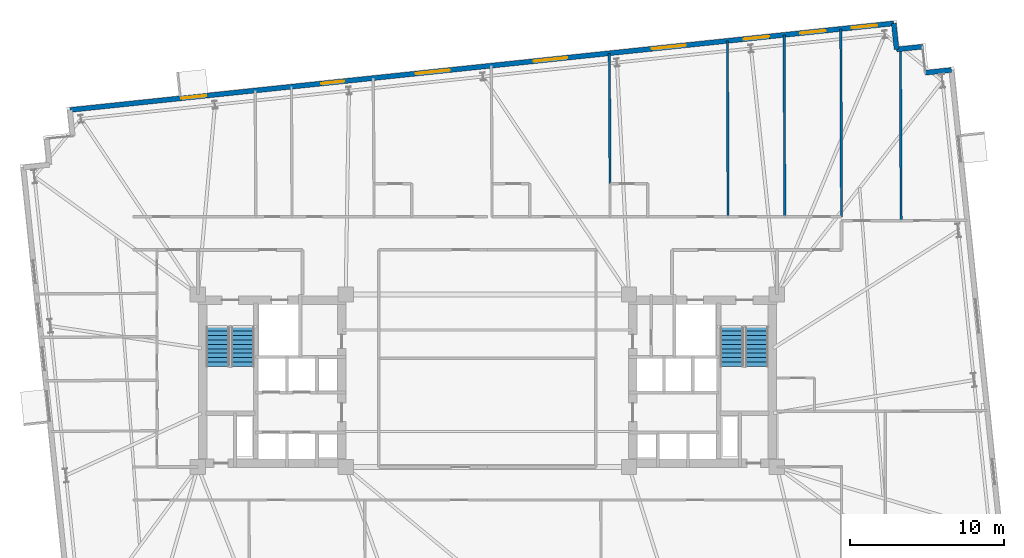
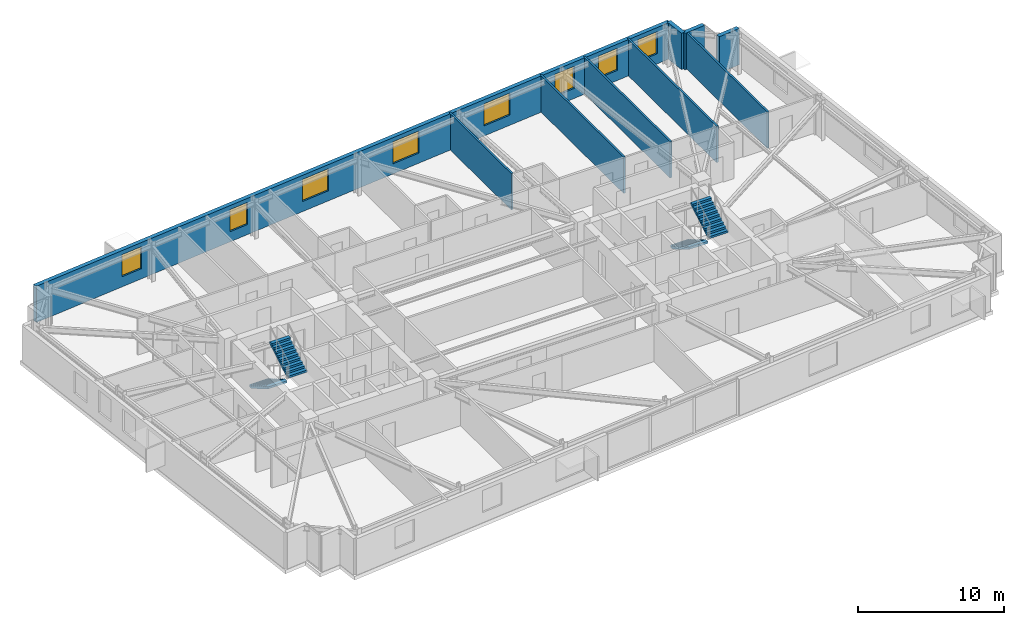
# One storey, part 20 of 23: 9 walls, 8 windows, 4 stair flights, 8 openings, 2 elements without a shape of their own.
"""IFC4 building model written with IfcOpenShell, lengths in metres."""

from ifc_helpers import new_model, si_unit, direction, frame, frame_2d, origin, place, context, subcontext, project, spatial, polyline, rectangle, outline, extrude, material, layer, layer_set, type_object, element, fill, aggregate, save


model = new_model("IFC4")

# Units and contexts
model_context = context("Model", 3, precision=1e-05, world=origin(), true_north=direction((0.0, 1.0)))
body_context = subcontext(model_context, "Body", "Model", "MODEL_VIEW")
ifc_project = project(units=[si_unit("LENGTHUNIT", "METRE"), si_unit("AREAUNIT", "SQUARE_METRE"), si_unit("VOLUMEUNIT", "CUBIC_METRE"), si_unit("PLANEANGLEUNIT", "RADIAN"), si_unit("MASSUNIT", "GRAM", prefix="KILO")], contexts=[model_context])

# Site, building, storey
site_placement = place(None, origin())
site = spatial("IfcSite", under=ifc_project, at=site_placement, CompositionType="ELEMENT")
building_placement = place(site_placement, origin())
building = spatial("IfcBuilding", under=site, at=building_placement, Name="Qobustan Lattice House", CompositionType="ELEMENT")
storey_placement = place(building_placement, frame((0.0, 0.0, 95.75)))
storey = spatial("IfcBuildingStorey", under=building, at=storey_placement, Name="L26", CompositionType="ELEMENT", Elevation=95.75)

# Wall, openings, windows
ifc_material_1 = material(Name="Precast concrete C40/50", Category="concrete")
ifc_layer_1 = layer(ifc_material_1, 0.320068359375)
ifc_layer_set_1 = layer_set([ifc_layer_1], Name="Precast concrete C40/50")
wall_type_1 = type_object("IfcWallType", Name="WAL-EXT-STONE-320", PredefinedType="SOLIDWALL", material=ifc_layer_set_1)
wall_1_placement = place(storey_placement, frame((-27.107421875, 17.585693359375, 0.0), z_axis=(0.0, 0.0, 1.0), x_axis=(0.994521628355, 0.104531003701, 0.0)))
wall_1 = element("IfcWall", 1, at=wall_1_placement, inside=storey, type_object=wall_type_1, Name="L26 exterior limestone-clad wall 10", PredefinedType="SOLIDWALL", context=body_context, shape_type="SweptSolid", body=[
    extrude(rectangle(XDim=53.800048828125, YDim=0.320068359375, at=frame_2d((26.89990234375, 0.0))), origin(), (0.0, 0.0, 1.0), 3.044921875),
])
opening_1_placement = place(wall_1_placement, frame((7.260986328125, 0.0, 0.85009765625)))
opening_1 = element("IfcOpeningElement", 2, at=opening_1_placement, cuts=wall_1, Name="Opening WN-09", PredefinedType="OPENING", context=body_context, shape_type="SweptSolid", body=[
    extrude(rectangle(XDim=1.64990234375, YDim=1.85009765625, at=frame_2d((0.824951171875, 0.925048828125))), frame((0.0, 0.169921875, 0.0), z_axis=(0.0, -1.0, 0.0), x_axis=(1.0, 0.0, 0.0)), (0.0, 0.0, 1.0), 0.340087890625),
])
opening_2_placement = place(wall_1_placement, frame((16.4228515625, 0.0, 0.85009765625)))
opening_2 = element("IfcOpeningElement", 3, at=opening_2_placement, cuts=wall_1, Name="Opening WN-01", PredefinedType="OPENING", context=body_context, shape_type="SweptSolid", body=[
    extrude(rectangle(XDim=1.5, YDim=1.85009765625, at=frame_2d((0.75, 0.925048828125))), frame((0.0, 0.169921875, 0.0), z_axis=(0.0, -1.0, 0.0), x_axis=(1.0, 0.0, 0.0)), (0.0, 0.0, 1.0), 0.340087890625),
])
opening_3_placement = place(wall_1_placement, frame((22.59765625, 0.0, 0.85009765625)))
opening_3 = element("IfcOpeningElement", 4, at=opening_3_placement, cuts=wall_1, Name="Opening WN-03", PredefinedType="OPENING", context=body_context, shape_type="SweptSolid", body=[
    extrude(rectangle(XDim=2.199951171875, YDim=1.85009765625, at=frame_2d((1.10009765625, 0.925048828125))), frame((0.0, 0.169921875, 0.0), z_axis=(0.0, -1.0, 0.0), x_axis=(1.0, 0.0, 0.0)), (0.0, 0.0, 1.0), 0.340087890625),
])
opening_4_placement = place(wall_1_placement, frame((30.283447265625, 0.0, 0.85009765625)))
opening_4 = element("IfcOpeningElement", 5, at=opening_4_placement, cuts=wall_1, Name="Opening WN-03", PredefinedType="OPENING", context=body_context, shape_type="SweptSolid", body=[
    extrude(rectangle(XDim=2.199951171875, YDim=1.85009765625, at=frame_2d((1.10009765625, 0.925048828125))), frame((0.0, 0.169921875, 0.0), z_axis=(0.0, -1.0, 0.0), x_axis=(1.0, 0.0, 0.0)), (0.0, 0.0, 1.0), 0.340087890625),
])
opening_5_placement = place(wall_1_placement, frame((38.009033203125, 0.0, 0.85009765625)))
opening_5 = element("IfcOpeningElement", 6, at=opening_5_placement, cuts=wall_1, Name="Opening WN-03", PredefinedType="OPENING", context=body_context, shape_type="SweptSolid", body=[
    extrude(rectangle(XDim=2.199951171875, YDim=1.85009765625, at=frame_2d((1.10009765625, 0.925048828125))), frame((0.0, 0.169921875, 0.0), z_axis=(0.0, -1.0, 0.0), x_axis=(1.0, 0.0, 0.0)), (0.0, 0.0, 1.0), 0.340087890625),
])
opening_6_placement = place(wall_1_placement, frame((44.00830078125, 0.0, 0.85009765625)))
opening_6 = element("IfcOpeningElement", 7, at=opening_6_placement, cuts=wall_1, Name="Opening WN-09", PredefinedType="OPENING", context=body_context, shape_type="SweptSolid", body=[
    extrude(rectangle(XDim=1.64990234375, YDim=1.85009765625, at=frame_2d((0.824951171875, 0.925048828125))), frame((0.0, 0.169921875, 0.0), z_axis=(0.0, -1.0, 0.0), x_axis=(1.0, 0.0, 0.0)), (0.0, 0.0, 1.0), 0.340087890625),
])
opening_7_placement = place(wall_1_placement, frame((47.691162109375, 0.0, 0.85009765625)))
opening_7 = element("IfcOpeningElement", 8, at=opening_7_placement, cuts=wall_1, Name="Opening WN-09", PredefinedType="OPENING", context=body_context, shape_type="SweptSolid", body=[
    extrude(rectangle(XDim=1.64990234375, YDim=1.85009765625, at=frame_2d((0.824951171875, 0.925048828125))), frame((0.0, 0.169921875, 0.0), z_axis=(0.0, -1.0, 0.0), x_axis=(1.0, 0.0, 0.0)), (0.0, 0.0, 1.0), 0.340087890625),
])
opening_8_placement = place(wall_1_placement, frame((51.0537109375, 0.0, 0.85009765625)))
opening_8 = element("IfcOpeningElement", 9, at=opening_8_placement, cuts=wall_1, Name="Opening WN-09", PredefinedType="OPENING", context=body_context, shape_type="SweptSolid", body=[
    extrude(rectangle(XDim=1.64990234375, YDim=1.85009765625, at=frame_2d((0.824951171875, 0.925048828125))), frame((0.0, 0.169921875, 0.0), z_axis=(0.0, -1.0, 0.0), x_axis=(1.0, 0.0, 0.0)), (0.0, 0.0, 1.0), 0.340087890625),
])
ifc_material_2 = material(Name="Double-glazed low-E aluminium window", Category="aluminium")
window_type_1 = type_object("IfcWindowType", Name="WIN-BED-1500x1850", PartitioningType="SINGLE_PANEL", PredefinedType="WINDOW", material=ifc_material_2)
window_1_placement = place(opening_2_placement, origin())
window_1 = element("IfcWindow", 10, at=window_1_placement, inside=storey, type_object=window_type_1, Name="L26 Laundry utility room window", OverallHeight=1.85009765625, OverallWidth=1.5, PartitioningType="SINGLE_PANEL", PredefinedType="WINDOW", context=body_context, shape_type="SweptSolid", body=[
    extrude(rectangle(XDim=1.5, YDim=1.85009765625, at=frame_2d((0.75, 0.925048828125))), frame((0.0, 0.030029296875, 0.0), z_axis=(0.0, -1.0, 0.0), x_axis=(1.0, 0.0, 0.0)), (0.0, 0.0, 1.0), 0.06005859375),
])
fill(opening_2, window_1)
ifc_material_3 = material(Name="Double-glazed low-E aluminium window", Category="aluminium")
window_type_2 = type_object("IfcWindowType", Name="WIN-STU-1650x1850", PartitioningType="SINGLE_PANEL", PredefinedType="WINDOW", material=ifc_material_3)
window_2_placement = place(opening_1_placement, origin())
window_2 = element("IfcWindow", 11, at=window_2_placement, inside=storey, type_object=window_type_2, Name="L26 Focus study room N1 window", OverallHeight=1.85009765625, OverallWidth=1.64990234375, PartitioningType="SINGLE_PANEL", PredefinedType="WINDOW", context=body_context, shape_type="SweptSolid", body=[
    extrude(rectangle(XDim=1.64990234375, YDim=1.85009765625, at=frame_2d((0.824951171875, 0.925048828125))), frame((0.0, 0.030029296875, 0.0), z_axis=(0.0, -1.0, 0.0), x_axis=(1.0, 0.0, 0.0)), (0.0, 0.0, 1.0), 0.06005859375),
])
fill(opening_1, window_2)
window_3_placement = place(opening_6_placement, origin())
window_3 = element("IfcWindow", 12, at=window_3_placement, inside=storey, type_object=window_type_2, Name="L26 Focus study room N6A window", OverallHeight=1.85009765625, OverallWidth=1.64990234375, PartitioningType="SINGLE_PANEL", PredefinedType="WINDOW", context=body_context, shape_type="SweptSolid", body=[
    extrude(rectangle(XDim=1.64990234375, YDim=1.85009765625, at=frame_2d((0.824951171875, 0.925048828125))), frame((0.0, 0.030029296875, 0.0), z_axis=(0.0, -1.0, 0.0), x_axis=(1.0, 0.0, 0.0)), (0.0, 0.0, 1.0), 0.06005859375),
])
fill(opening_6, window_3)
window_4_placement = place(opening_7_placement, origin())
window_4 = element("IfcWindow", 13, at=window_4_placement, inside=storey, type_object=window_type_2, Name="L26 Focus study room N6B window", OverallHeight=1.85009765625, OverallWidth=1.64990234375, PartitioningType="SINGLE_PANEL", PredefinedType="WINDOW", context=body_context, shape_type="SweptSolid", body=[
    extrude(rectangle(XDim=1.64990234375, YDim=1.85009765625, at=frame_2d((0.824951171875, 0.925048828125))), frame((0.0, 0.030029296875, 0.0), z_axis=(0.0, -1.0, 0.0), x_axis=(1.0, 0.0, 0.0)), (0.0, 0.0, 1.0), 0.06005859375),
])
fill(opening_7, window_4)
window_5_placement = place(opening_8_placement, origin())
window_5 = element("IfcWindow", 14, at=window_5_placement, inside=storey, type_object=window_type_2, Name="L26 Focus study room E3A window", OverallHeight=1.85009765625, OverallWidth=1.64990234375, PartitioningType="SINGLE_PANEL", PredefinedType="WINDOW", context=body_context, shape_type="SweptSolid", body=[
    extrude(rectangle(XDim=1.64990234375, YDim=1.85009765625, at=frame_2d((0.824951171875, 0.925048828125))), frame((0.0, 0.030029296875, 0.0), z_axis=(0.0, -1.0, 0.0), x_axis=(1.0, 0.0, 0.0)), (0.0, 0.0, 1.0), 0.06005859375),
])
fill(opening_8, window_5)
ifc_material_4 = material(Name="Double-glazed low-E aluminium window", Category="aluminium")
window_type_3 = type_object("IfcWindowType", Name="WIN-WIDE-2200x1850", PartitioningType="SINGLE_PANEL", PredefinedType="WINDOW", material=ifc_material_4)
window_6_placement = place(opening_3_placement, origin())
window_6 = element("IfcWindow", 15, at=window_6_placement, inside=storey, type_object=window_type_3, Name="L26 Kitchenette and studio apartment L26-N3 window", OverallHeight=1.85009765625, OverallWidth=2.199951171875, PartitioningType="SINGLE_PANEL", PredefinedType="WINDOW", context=body_context, shape_type="SweptSolid", body=[
    extrude(rectangle(XDim=2.199951171875, YDim=1.85009765625, at=frame_2d((1.10009765625, 0.925048828125))), frame((0.0, 0.030029296875, 0.0), z_axis=(0.0, -1.0, 0.0), x_axis=(1.0, 0.0, 0.0)), (0.0, 0.0, 1.0), 0.06005859375),
])
fill(opening_3, window_6)
window_7_placement = place(opening_4_placement, origin())
window_7 = element("IfcWindow", 16, at=window_7_placement, inside=storey, type_object=window_type_3, Name="L26 Kitchenette and studio apartment L26-N4 window", OverallHeight=1.85009765625, OverallWidth=2.199951171875, PartitioningType="SINGLE_PANEL", PredefinedType="WINDOW", context=body_context, shape_type="SweptSolid", body=[
    extrude(rectangle(XDim=2.199951171875, YDim=1.85009765625, at=frame_2d((1.10009765625, 0.925048828125))), frame((0.0, 0.030029296875, 0.0), z_axis=(0.0, -1.0, 0.0), x_axis=(1.0, 0.0, 0.0)), (0.0, 0.0, 1.0), 0.06005859375),
])
fill(opening_4, window_7)
window_8_placement = place(opening_5_placement, origin())
window_8 = element("IfcWindow", 17, at=window_8_placement, inside=storey, type_object=window_type_3, Name="L26 Kitchenette and studio apartment L26-N5 window", OverallHeight=1.85009765625, OverallWidth=2.199951171875, PartitioningType="SINGLE_PANEL", PredefinedType="WINDOW", context=body_context, shape_type="SweptSolid", body=[
    extrude(rectangle(XDim=2.199951171875, YDim=1.85009765625, at=frame_2d((1.10009765625, 0.925048828125))), frame((0.0, 0.030029296875, 0.0), z_axis=(0.0, -1.0, 0.0), x_axis=(1.0, 0.0, 0.0)), (0.0, 0.0, 1.0), 0.06005859375),
])
fill(opening_5, window_8)

# Walls
for number, where, z_axis, x_axis, name in (
    (18, (26.39794921875, 23.20947265625, 0.0), (0.0, 0.0, 1.0), (0.104550220202, -0.994519608382, 0.0), "L26 exterior limestone-clad wall 11"),
    (19, (26.57568359375, 21.518798828125, 0.0), (0.0, 0.0, 1.0), (0.994534530939, 0.104408173862, 0.0), "L26 exterior limestone-clad wall 12"),
    (20, (28.444091796875, 20.005615234375, 0.0), (0.0, 0.0, 1.0), (0.994519608382, 0.104550220202, 0.0), "L26 exterior limestone-clad wall 14"),
):
    element("IfcWall", number, at=place(storey_placement, frame(where, z_axis=z_axis, x_axis=x_axis)), inside=storey, type_object=wall_type_1, Name=name, PredefinedType="SOLIDWALL", context=body_context, shape_type="SweptSolid", body=[
        extrude(rectangle(XDim=1.699951171875, YDim=0.320068359375, at=frame_2d((0.85009765625, 0.0))), origin(), (0.0, 0.0, 1.0), 3.044921875),
    ])
ifc_material_5 = material(Name="Acoustic twin-stud gypsum partition", Category="gypsum")
ifc_layer_2 = layer(ifc_material_5, 0.14990234375)
ifc_layer_set_2 = layer_set([ifc_layer_2], Name="Acoustic twin-stud gypsum partition")
wall_type_2 = type_object("IfcWallType", Name="WAL-PART-150", PredefinedType="PARTITIONING", material=ifc_layer_set_2)
wall_2_placement = place(storey_placement, frame((26.8271484375, 21.545166015625, 0.0), z_axis=(0.0, 0.0, 1.0), x_axis=(0.003938700302, -0.99999224329, 0.0)))
element("IfcWall", 21, at=wall_2_placement, inside=storey, type_object=wall_type_2, Name="L26 interior partition 86", PredefinedType="PARTITIONING", context=body_context, shape_type="SweptSolid", body=[
    extrude(rectangle(XDim=11.1572265625, YDim=0.14990234375, at=frame_2d((5.57861328125, 0.0))), origin(), (0.0, 0.0, 1.0), 3.044921875),
])
wall_3_placement = place(storey_placement, frame((23.0, 10.64990234375, 0.0), z_axis=(0.0, 0.0, 1.0), x_axis=(-0.0036027147, 0.999993510202, 0.0)))
element("IfcWall", 22, at=wall_3_placement, inside=storey, type_object=wall_type_2, Name="L26 interior partition 87", PredefinedType="PARTITIONING", context=body_context, shape_type="SweptSolid", body=[
    extrude(rectangle(XDim=12.19775390625, YDim=0.14990234375, at=frame_2d((6.098876953125, 0.0))), origin(), (0.0, 0.0, 1.0), 3.044921875),
])
wall_4_placement = place(storey_placement, frame((7.923095703125, 21.267578125, 0.0), z_axis=(0.0, 0.0, 1.0), x_axis=(0.005189792576, -0.999986532936, 0.0)))
element("IfcWall", 23, at=wall_4_placement, inside=storey, type_object=wall_type_2, Name="L26 interior partition 98", PredefinedType="PARTITIONING", context=body_context, shape_type="SweptSolid", body=[
    extrude(rectangle(XDim=8.467529296875, YDim=0.14990234375, at=frame_2d((4.23388671875, 0.0))), origin(), (0.0, 0.0, 1.0), 3.044921875),
])
wall_5_placement = place(storey_placement, frame((15.589111328125, 22.0732421875, 0.0), z_axis=(0.0, 0.0, 1.0), x_axis=(0.003846947384, -0.999992600471, 0.0)))
element("IfcWall", 24, at=wall_5_placement, inside=storey, type_object=wall_type_2, Name="L26 interior partition 102", PredefinedType="PARTITIONING", context=body_context, shape_type="SweptSolid", body=[
    extrude(rectangle(XDim=11.42333984375, YDim=0.14990234375, at=frame_2d((5.711669921875, 0.0))), origin(), (0.0, 0.0, 1.0), 3.044921875),
])
wall_6_placement = place(storey_placement, frame((19.272705078125, 22.46044921875, 0.0), z_axis=(0.0, 0.0, 1.0), x_axis=(0.003700156578, -0.999993154397, 0.0)))
element("IfcWall", 25, at=wall_6_placement, inside=storey, type_object=wall_type_2, Name="L26 interior partition 103", PredefinedType="PARTITIONING", context=body_context, shape_type="SweptSolid", body=[
    extrude(rectangle(XDim=11.810546875, YDim=0.14990234375, at=frame_2d((5.9052734375, 0.0))), origin(), (0.0, 0.0, 1.0), 3.044921875),
])

# Stair, stair flights
ifc_material_6 = material(Name="Concrete C40/50", Category="concrete")
stair_type = type_object("IfcStairType", Name="STR-CORE-DOGLEG", PredefinedType="HALF_TURN_STAIR", material=ifc_material_6)
stair_1_placement = place(storey_placement, origin())
stair_1 = element("IfcStair", 26, at=stair_1_placement, inside=storey, type_object=stair_type, Name="L26 West protected exit stair ST-W1", PredefinedType="HALF_TURN_STAIR")
ifc_material_7 = material(Name="Concrete C40/50", Category="concrete")
stair_flight_type = type_object("IfcStairFlightType", Name="SFL-RC-1500", PredefinedType="STRAIGHT", material=ifc_material_7)
stair_flight_1_placement = place(storey_placement, frame((-17.5, 3.5, 0.0), z_axis=(0.0, 0.0, 1.0), x_axis=(0.0, -1.0, 0.0)))
stair_flight_1 = element("IfcStairFlight", 27, at=stair_flight_1_placement, type_object=stair_flight_type, Name="ST-W1 flight 1", NumberOfRisers=10, NumberOfTreads=9, PredefinedType="STRAIGHT", RiserHeight=0.1675, TreadLength=0.285, context=body_context, shape_type="SweptSolid", body=[
    extrude(outline(polyline([(0.0, 0.0), (0.0, 0.16748046875), (0.284912109375, 0.16748046875), (0.284912109375, 0.3349609375), (0.570068359375, 0.3349609375), (0.570068359375, 0.50244140625), (0.85498046875, 0.50244140625), (0.85498046875, 0.669921875), (1.139892578125, 0.669921875), (1.139892578125, 0.83740234375), (1.425048828125, 0.83740234375), (1.425048828125, 1.0048828125), (1.7099609375, 1.0048828125), (1.7099609375, 1.172607421875), (1.9951171875, 1.172607421875), (1.9951171875, 1.340087890625), (2.280029296875, 1.340087890625), (2.280029296875, 1.507568359375), (2.56494140625, 1.507568359375), (2.56494140625, 1.675048828125), (2.56494140625, 1.333740234375), (0.2958984375, 0.0), (0.0, 0.0)])), frame((0.0, 0.75, 0.0), z_axis=(0.0, -1.0, 0.0), x_axis=(1.0, 0.0, 0.0)), (0.0, 0.0, 1.0), 1.5),
])
stair_flight_2_placement = place(storey_placement, frame((-15.8798828125, 0.93505859375, 1.675048828125), z_axis=(0.0, 0.0, 1.0), x_axis=(0.0, 1.0, 0.0)))
stair_flight_2 = element("IfcStairFlight", 28, at=stair_flight_2_placement, type_object=stair_flight_type, Name="ST-W1 flight 2", NumberOfRisers=10, NumberOfTreads=9, PredefinedType="STRAIGHT", RiserHeight=0.1675, TreadLength=0.285, context=body_context, shape_type="SweptSolid", body=[
    extrude(outline(polyline([(0.0, 0.0), (0.0, 0.16748046875), (0.284912109375, 0.16748046875), (0.284912109375, 0.3349609375), (0.570068359375, 0.3349609375), (0.570068359375, 0.50244140625), (0.85498046875, 0.50244140625), (0.85498046875, 0.669921875), (1.139892578125, 0.669921875), (1.139892578125, 0.83740234375), (1.425048828125, 0.83740234375), (1.425048828125, 1.0048828125), (1.7099609375, 1.0048828125), (1.7099609375, 1.172607421875), (1.9951171875, 1.172607421875), (1.9951171875, 1.340087890625), (2.280029296875, 1.340087890625), (2.280029296875, 1.507568359375), (2.56494140625, 1.507568359375), (2.56494140625, 1.675048828125), (2.56494140625, 1.333740234375), (0.2958984375, 0.0), (0.0, 0.0)])), frame((0.0, 0.75, 0.0), z_axis=(0.0, -1.0, 0.0), x_axis=(1.0, 0.0, 0.0)), (0.0, 0.0, 1.0), 1.5),
])
aggregate(stair_1, [stair_flight_1, stair_flight_2])

stair_2_placement = place(storey_placement, origin())
stair_2 = element("IfcStair", 29, at=stair_2_placement, inside=storey, type_object=stair_type, Name="L26 East protected exit stair ST-E1", PredefinedType="HALF_TURN_STAIR")
stair_flight_3_placement = place(storey_placement, frame((15.8798828125, 3.5, 0.0), z_axis=(0.0, 0.0, 1.0), x_axis=(0.0, -1.0, 0.0)))
stair_flight_3 = element("IfcStairFlight", 30, at=stair_flight_3_placement, type_object=stair_flight_type, Name="ST-E1 flight 1", NumberOfRisers=10, NumberOfTreads=9, PredefinedType="STRAIGHT", RiserHeight=0.1675, TreadLength=0.285, context=body_context, shape_type="SweptSolid", body=[
    extrude(outline(polyline([(0.0, 0.0), (0.0, 0.16748046875), (0.284912109375, 0.16748046875), (0.284912109375, 0.3349609375), (0.570068359375, 0.3349609375), (0.570068359375, 0.50244140625), (0.85498046875, 0.50244140625), (0.85498046875, 0.669921875), (1.139892578125, 0.669921875), (1.139892578125, 0.83740234375), (1.425048828125, 0.83740234375), (1.425048828125, 1.0048828125), (1.7099609375, 1.0048828125), (1.7099609375, 1.172607421875), (1.9951171875, 1.172607421875), (1.9951171875, 1.340087890625), (2.280029296875, 1.340087890625), (2.280029296875, 1.507568359375), (2.56494140625, 1.507568359375), (2.56494140625, 1.675048828125), (2.56494140625, 1.333740234375), (0.2958984375, 0.0), (0.0, 0.0)])), frame((0.0, 0.75, 0.0), z_axis=(0.0, -1.0, 0.0), x_axis=(1.0, 0.0, 0.0)), (0.0, 0.0, 1.0), 1.5),
])
stair_flight_4_placement = place(storey_placement, frame((17.5, 0.93505859375, 1.675048828125), z_axis=(0.0, 0.0, 1.0), x_axis=(0.0, 1.0, 0.0)))
stair_flight_4 = element("IfcStairFlight", 31, at=stair_flight_4_placement, type_object=stair_flight_type, Name="ST-E1 flight 2", NumberOfRisers=10, NumberOfTreads=9, PredefinedType="STRAIGHT", RiserHeight=0.1675, TreadLength=0.285, context=body_context, shape_type="SweptSolid", body=[
    extrude(outline(polyline([(0.0, 0.0), (0.0, 0.16748046875), (0.284912109375, 0.16748046875), (0.284912109375, 0.3349609375), (0.570068359375, 0.3349609375), (0.570068359375, 0.50244140625), (0.85498046875, 0.50244140625), (0.85498046875, 0.669921875), (1.139892578125, 0.669921875), (1.139892578125, 0.83740234375), (1.425048828125, 0.83740234375), (1.425048828125, 1.0048828125), (1.7099609375, 1.0048828125), (1.7099609375, 1.172607421875), (1.9951171875, 1.172607421875), (1.9951171875, 1.340087890625), (2.280029296875, 1.340087890625), (2.280029296875, 1.507568359375), (2.56494140625, 1.507568359375), (2.56494140625, 1.675048828125), (2.56494140625, 1.333740234375), (0.2958984375, 0.0), (0.0, 0.0)])), frame((0.0, 0.75, 0.0), z_axis=(0.0, -1.0, 0.0), x_axis=(1.0, 0.0, 0.0)), (0.0, 0.0, 1.0), 1.5),
])
aggregate(stair_2, [stair_flight_3, stair_flight_4])

save(model, "model.ifc")
